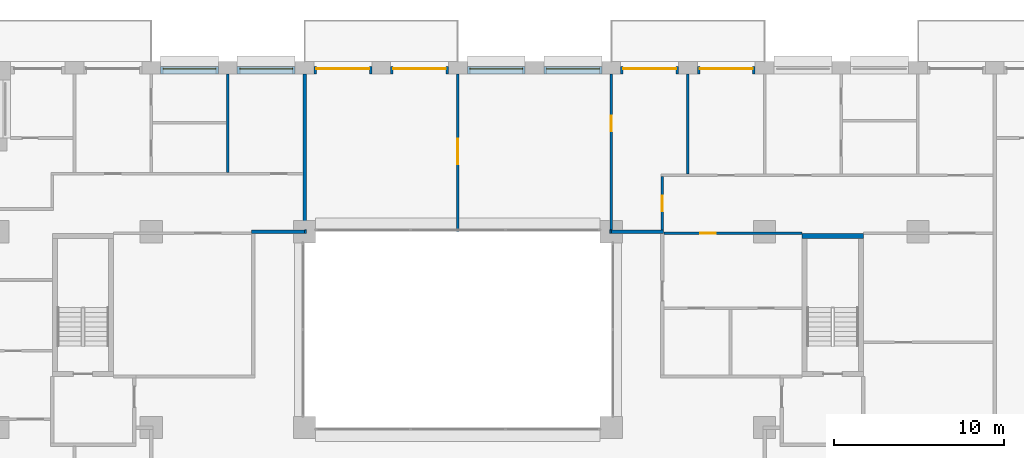
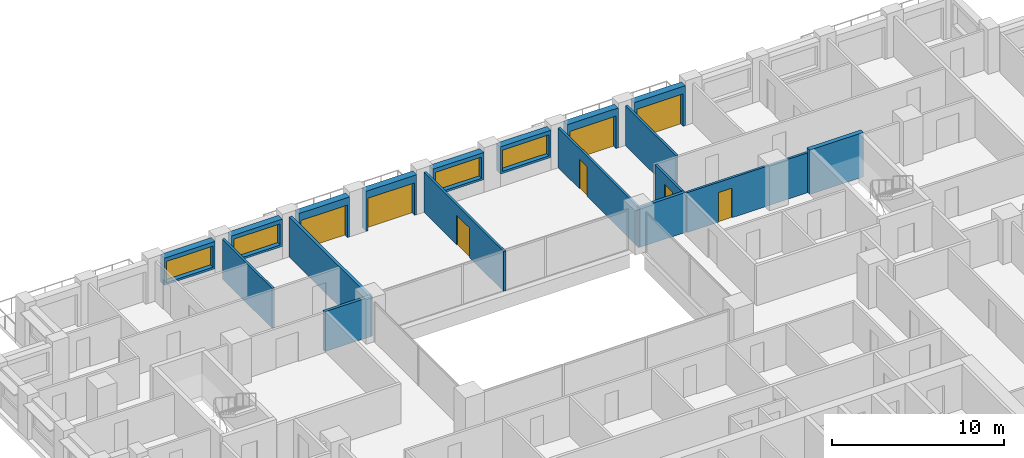
# One storey, part 13 of 16: 20 walls, 8 doors, 4 windows, 12 openings.
"""IFC4 building model written with IfcOpenShell, lengths in metres."""

from ifc_helpers import new_model, si_unit, direction, frame, frame_2d, origin, place, context, subcontext, project, spatial, rectangle, extrude, material, layer, layer_set, type_object, element, fill, save


model = new_model("IFC4")

# Units and contexts
model_context = context("Model", 3, precision=1e-05, world=origin(), true_north=direction((0.0, 1.0)))
body_context = subcontext(model_context, "Body", "Model", "MODEL_VIEW")
ifc_project = project(units=[si_unit("LENGTHUNIT", "METRE"), si_unit("AREAUNIT", "SQUARE_METRE"), si_unit("VOLUMEUNIT", "CUBIC_METRE"), si_unit("PLANEANGLEUNIT", "RADIAN"), si_unit("MASSUNIT", "GRAM", prefix="KILO")], contexts=[model_context])

# Site, building, storey
site_placement = place(None, origin())
site = spatial("IfcSite", under=ifc_project, at=site_placement, CompositionType="ELEMENT")
building_placement = place(site_placement, origin())
building = spatial("IfcBuilding", under=site, at=building_placement, Name="Brigalow Station Residences", CompositionType="ELEMENT")
storey_placement = place(building_placement, frame((0.0, 0.0, 89.85009765625)))
storey = spatial("IfcBuildingStorey", under=building, at=storey_placement, Name="L25", CompositionType="ELEMENT", Elevation=89.85009765625)

# Wall, opening, door
ifc_material_1 = material(Name="Clay brick masonry", Category="masonry")
ifc_layer_1 = layer(ifc_material_1, 0.449951171875)
ifc_layer_set_1 = layer_set([ifc_layer_1], Name="BRICK INFILL WALL 450")
wall_type_1 = type_object("IfcWallType", Name="BRICK INFILL WALL 450", PredefinedType="SOLIDWALL", material=ifc_layer_set_1)
wall_1_placement = place(storey_placement, frame((53.449951171875, 44.97509765625, 0.0), z_axis=(0.0, 0.0, 1.0), x_axis=(-1.0, 0.0, 0.0)))
wall_1 = element("IfcWall", 1, at=wall_1_placement, inside=storey, type_object=wall_type_1, Name="L25/ewall/W-L25-27", PredefinedType="SOLIDWALL", context=body_context, shape_type="SweptSolid", body=[
    extrude(rectangle(XDim=3.39990234375, YDim=0.449951171875, at=frame_2d((1.699951171875, 0.0))), origin(), (0.0, 0.0, 1.0), 2.829833984375),
])
opening_1_placement = place(wall_1_placement, frame((0.14990234375, 0.0, 0.0)))
opening_1 = element("IfcOpeningElement", 2, at=opening_1_placement, cuts=wall_1, Name="Opening D-B3100", PredefinedType="OPENING", context=body_context, shape_type="SweptSolid", body=[
    extrude(rectangle(XDim=3.10009765625, YDim=2.300048828125, at=frame_2d((1.550048828125, 1.14990234375))), frame((0.0, 0.23486328125, 0.0), z_axis=(0.0, -1.0, 0.0), x_axis=(1.0, 0.0, 0.0)), (0.0, 0.0, 1.0), 0.469970703125),
])
ifc_material_2 = material(Name="Anodised aluminium frame with double glazing", Category="aluminium")
door_type_1 = type_object("IfcDoorType", Name="BALCONY SLIDING DOOR 3100x2300", OperationType="SLIDING_TO_LEFT", PredefinedType="DOOR", material=ifc_material_2)
door_1_placement = place(opening_1_placement, origin())
door_1 = element("IfcDoor", 3, at=door_1_placement, inside=storey, type_object=door_type_1, Name="L25/balcony-door/W-L25-27", OperationType="SLIDING_TO_LEFT", OverallHeight=2.300048828125, OverallWidth=3.10009765625, PredefinedType="DOOR", context=body_context, shape_type="SweptSolid", body=[
    extrude(rectangle(XDim=3.10009765625, YDim=2.300048828125, at=frame_2d((1.550048828125, 1.14990234375))), frame((0.0, -0.06982421875, 0.0), z_axis=(0.0, -1.0, 0.0), x_axis=(1.0, 0.0, 0.0)), (0.0, 0.0, 1.0), 0.050048828125),
])
fill(opening_1, door_1)

wall_2_placement = place(storey_placement, frame((48.949951171875, 44.97509765625, 0.0), z_axis=(0.0, 0.0, 1.0), x_axis=(-1.0, 0.0, 0.0)))
wall_2 = element("IfcWall", 4, at=wall_2_placement, inside=storey, type_object=wall_type_1, Name="L25/ewall/W-L25-28", PredefinedType="SOLIDWALL", context=body_context, shape_type="SweptSolid", body=[
    extrude(rectangle(XDim=3.39990234375, YDim=0.449951171875, at=frame_2d((1.699951171875, 0.0))), origin(), (0.0, 0.0, 1.0), 2.829833984375),
])
opening_2_placement = place(wall_2_placement, frame((0.14990234375, 0.0, 0.0)))
opening_2 = element("IfcOpeningElement", 5, at=opening_2_placement, cuts=wall_2, Name="Opening D-B3100", PredefinedType="OPENING", context=body_context, shape_type="SweptSolid", body=[
    extrude(rectangle(XDim=3.10009765625, YDim=2.300048828125, at=frame_2d((1.550048828125, 1.14990234375))), frame((0.0, 0.23486328125, 0.0), z_axis=(0.0, -1.0, 0.0), x_axis=(1.0, 0.0, 0.0)), (0.0, 0.0, 1.0), 0.469970703125),
])
door_2_placement = place(opening_2_placement, origin())
door_2 = element("IfcDoor", 6, at=door_2_placement, inside=storey, type_object=door_type_1, Name="L25/balcony-door/W-L25-28", OperationType="SLIDING_TO_LEFT", OverallHeight=2.300048828125, OverallWidth=3.10009765625, PredefinedType="DOOR", context=body_context, shape_type="SweptSolid", body=[
    extrude(rectangle(XDim=3.10009765625, YDim=2.300048828125, at=frame_2d((1.550048828125, 1.14990234375))), frame((0.0, -0.06982421875, 0.0), z_axis=(0.0, -1.0, 0.0), x_axis=(1.0, 0.0, 0.0)), (0.0, 0.0, 1.0), 0.050048828125),
])
fill(opening_2, door_2)

# Wall, opening, window
wall_3_placement = place(storey_placement, frame((44.449951171875, 44.97509765625, 0.89990234375), z_axis=(0.0, 0.0, 1.0), x_axis=(-1.0, 0.0, 0.0)))
wall_3 = element("IfcWall", 7, at=wall_3_placement, inside=storey, type_object=wall_type_1, Name="L25/ewall/W-L25-29", PredefinedType="SOLIDWALL", context=body_context, shape_type="SweptSolid", body=[
    extrude(rectangle(XDim=3.39990234375, YDim=0.449951171875, at=frame_2d((1.699951171875, 0.0))), origin(), (0.0, 0.0, 1.0), 1.929931640625),
])
opening_3_placement = place(wall_3_placement, frame((0.14990234375, 0.0, 0.14990234375)))
opening_3 = element("IfcOpeningElement", 8, at=opening_3_placement, cuts=wall_3, Name="Opening WT-8", PredefinedType="OPENING", context=body_context, shape_type="SweptSolid", body=[
    extrude(rectangle(XDim=3.10009765625, YDim=1.5, at=frame_2d((1.550048828125, 0.75))), frame((0.0, 0.23486328125, 0.0), z_axis=(0.0, -1.0, 0.0), x_axis=(1.0, 0.0, 0.0)), (0.0, 0.0, 1.0), 0.469970703125),
])
ifc_material_3 = material(Name="Anodised aluminium frame with double glazing", Category="aluminium")
window_type = type_object("IfcWindowType", Name="WINDOW 3100x1500", PartitioningType="SINGLE_PANEL", PredefinedType="WINDOW", material=ifc_material_3)
window_1_placement = place(opening_3_placement, origin())
window_1 = element("IfcWindow", 9, at=window_1_placement, inside=storey, type_object=window_type, Name="L25/window/W-L25-29", OverallHeight=1.5, OverallWidth=3.10009765625, PartitioningType="SINGLE_PANEL", PredefinedType="WINDOW", context=body_context, shape_type="SweptSolid", body=[
    extrude(rectangle(XDim=3.10009765625, YDim=1.5, at=frame_2d((1.550048828125, 0.75))), frame((0.0, -0.06494140625, 0.0), z_axis=(0.0, -1.0, 0.0), x_axis=(1.0, 0.0, 0.0)), (0.0, 0.0, 1.0), 0.06005859375),
])
fill(opening_3, window_1)

wall_4_placement = place(storey_placement, frame((39.949951171875, 44.97509765625, 0.89990234375), z_axis=(0.0, 0.0, 1.0), x_axis=(-1.0, 0.0, 0.0)))
wall_4 = element("IfcWall", 10, at=wall_4_placement, inside=storey, type_object=wall_type_1, Name="L25/ewall/W-L25-30", PredefinedType="SOLIDWALL", context=body_context, shape_type="SweptSolid", body=[
    extrude(rectangle(XDim=3.39990234375, YDim=0.449951171875, at=frame_2d((1.699951171875, 0.0))), origin(), (0.0, 0.0, 1.0), 1.929931640625),
])
opening_4_placement = place(wall_4_placement, frame((0.14990234375, 0.0, 0.14990234375)))
opening_4 = element("IfcOpeningElement", 11, at=opening_4_placement, cuts=wall_4, Name="Opening WT-8", PredefinedType="OPENING", context=body_context, shape_type="SweptSolid", body=[
    extrude(rectangle(XDim=3.10009765625, YDim=1.5, at=frame_2d((1.550048828125, 0.75))), frame((0.0, 0.23486328125, 0.0), z_axis=(0.0, -1.0, 0.0), x_axis=(1.0, 0.0, 0.0)), (0.0, 0.0, 1.0), 0.469970703125),
])
window_2_placement = place(opening_4_placement, origin())
window_2 = element("IfcWindow", 12, at=window_2_placement, inside=storey, type_object=window_type, Name="L25/window/W-L25-30", OverallHeight=1.5, OverallWidth=3.10009765625, PartitioningType="SINGLE_PANEL", PredefinedType="WINDOW", context=body_context, shape_type="SweptSolid", body=[
    extrude(rectangle(XDim=3.10009765625, YDim=1.5, at=frame_2d((1.550048828125, 0.75))), frame((0.0, -0.06494140625, 0.0), z_axis=(0.0, -1.0, 0.0), x_axis=(1.0, 0.0, 0.0)), (0.0, 0.0, 1.0), 0.06005859375),
])
fill(opening_4, window_2)

# Wall, opening, door
wall_5_placement = place(storey_placement, frame((35.449951171875, 44.97509765625, 0.0), z_axis=(0.0, 0.0, 1.0), x_axis=(-1.0, 0.0, 0.0)))
wall_5 = element("IfcWall", 13, at=wall_5_placement, inside=storey, type_object=wall_type_1, Name="L25/ewall/W-L25-31", PredefinedType="SOLIDWALL", context=body_context, shape_type="SweptSolid", body=[
    extrude(rectangle(XDim=3.39990234375, YDim=0.449951171875, at=frame_2d((1.699951171875, 0.0))), origin(), (0.0, 0.0, 1.0), 2.829833984375),
])
opening_5_placement = place(wall_5_placement, frame((0.14990234375, 0.0, 0.0)))
opening_5 = element("IfcOpeningElement", 14, at=opening_5_placement, cuts=wall_5, Name="Opening D-B3100", PredefinedType="OPENING", context=body_context, shape_type="SweptSolid", body=[
    extrude(rectangle(XDim=3.10009765625, YDim=2.300048828125, at=frame_2d((1.550048828125, 1.14990234375))), frame((0.0, 0.23486328125, 0.0), z_axis=(0.0, -1.0, 0.0), x_axis=(1.0, 0.0, 0.0)), (0.0, 0.0, 1.0), 0.469970703125),
])
door_3_placement = place(opening_5_placement, origin())
door_3 = element("IfcDoor", 15, at=door_3_placement, inside=storey, type_object=door_type_1, Name="L25/balcony-door/W-L25-31", OperationType="SLIDING_TO_LEFT", OverallHeight=2.300048828125, OverallWidth=3.10009765625, PredefinedType="DOOR", context=body_context, shape_type="SweptSolid", body=[
    extrude(rectangle(XDim=3.10009765625, YDim=2.300048828125, at=frame_2d((1.550048828125, 1.14990234375))), frame((0.0, -0.06982421875, 0.0), z_axis=(0.0, -1.0, 0.0), x_axis=(1.0, 0.0, 0.0)), (0.0, 0.0, 1.0), 0.050048828125),
])
fill(opening_5, door_3)

wall_6_placement = place(storey_placement, frame((30.949951171875, 44.97509765625, 0.0), z_axis=(0.0, 0.0, 1.0), x_axis=(-1.0, 0.0, 0.0)))
wall_6 = element("IfcWall", 16, at=wall_6_placement, inside=storey, type_object=wall_type_1, Name="L25/ewall/W-L25-32", PredefinedType="SOLIDWALL", context=body_context, shape_type="SweptSolid", body=[
    extrude(rectangle(XDim=3.39990234375, YDim=0.449951171875, at=frame_2d((1.699951171875, 0.0))), origin(), (0.0, 0.0, 1.0), 2.829833984375),
])
opening_6_placement = place(wall_6_placement, frame((0.14990234375, 0.0, 0.0)))
opening_6 = element("IfcOpeningElement", 17, at=opening_6_placement, cuts=wall_6, Name="Opening D-B3100", PredefinedType="OPENING", context=body_context, shape_type="SweptSolid", body=[
    extrude(rectangle(XDim=3.10009765625, YDim=2.300048828125, at=frame_2d((1.550048828125, 1.14990234375))), frame((0.0, 0.23486328125, 0.0), z_axis=(0.0, -1.0, 0.0), x_axis=(1.0, 0.0, 0.0)), (0.0, 0.0, 1.0), 0.469970703125),
])
door_4_placement = place(opening_6_placement, origin())
door_4 = element("IfcDoor", 18, at=door_4_placement, inside=storey, type_object=door_type_1, Name="L25/balcony-door/W-L25-32", OperationType="SLIDING_TO_LEFT", OverallHeight=2.300048828125, OverallWidth=3.10009765625, PredefinedType="DOOR", context=body_context, shape_type="SweptSolid", body=[
    extrude(rectangle(XDim=3.10009765625, YDim=2.300048828125, at=frame_2d((1.550048828125, 1.14990234375))), frame((0.0, -0.06982421875, 0.0), z_axis=(0.0, -1.0, 0.0), x_axis=(1.0, 0.0, 0.0)), (0.0, 0.0, 1.0), 0.050048828125),
])
fill(opening_6, door_4)

# Wall, opening, window
wall_7_placement = place(storey_placement, frame((26.449951171875, 44.97509765625, 0.89990234375), z_axis=(0.0, 0.0, 1.0), x_axis=(-1.0, 0.0, 0.0)))
wall_7 = element("IfcWall", 19, at=wall_7_placement, inside=storey, type_object=wall_type_1, Name="L25/ewall/W-L25-33", PredefinedType="SOLIDWALL", context=body_context, shape_type="SweptSolid", body=[
    extrude(rectangle(XDim=3.39990234375, YDim=0.449951171875, at=frame_2d((1.699951171875, 0.0))), origin(), (0.0, 0.0, 1.0), 1.929931640625),
])
opening_7_placement = place(wall_7_placement, frame((0.14990234375, 0.0, 0.14990234375)))
opening_7 = element("IfcOpeningElement", 20, at=opening_7_placement, cuts=wall_7, Name="Opening WT-8", PredefinedType="OPENING", context=body_context, shape_type="SweptSolid", body=[
    extrude(rectangle(XDim=3.10009765625, YDim=1.5, at=frame_2d((1.550048828125, 0.75))), frame((0.0, 0.23486328125, 0.0), z_axis=(0.0, -1.0, 0.0), x_axis=(1.0, 0.0, 0.0)), (0.0, 0.0, 1.0), 0.469970703125),
])
window_3_placement = place(opening_7_placement, origin())
window_3 = element("IfcWindow", 21, at=window_3_placement, inside=storey, type_object=window_type, Name="L25/window/W-L25-33", OverallHeight=1.5, OverallWidth=3.10009765625, PartitioningType="SINGLE_PANEL", PredefinedType="WINDOW", context=body_context, shape_type="SweptSolid", body=[
    extrude(rectangle(XDim=3.10009765625, YDim=1.5, at=frame_2d((1.550048828125, 0.75))), frame((0.0, -0.06494140625, 0.0), z_axis=(0.0, -1.0, 0.0), x_axis=(1.0, 0.0, 0.0)), (0.0, 0.0, 1.0), 0.06005859375),
])
fill(opening_7, window_3)

wall_8_placement = place(storey_placement, frame((21.949951171875, 44.97509765625, 0.89990234375), z_axis=(0.0, 0.0, 1.0), x_axis=(-1.0, 0.0, 0.0)))
wall_8 = element("IfcWall", 22, at=wall_8_placement, inside=storey, type_object=wall_type_1, Name="L25/ewall/W-L25-34", PredefinedType="SOLIDWALL", context=body_context, shape_type="SweptSolid", body=[
    extrude(rectangle(XDim=3.39990234375, YDim=0.449951171875, at=frame_2d((1.699951171875, 0.0))), origin(), (0.0, 0.0, 1.0), 1.929931640625),
])
opening_8_placement = place(wall_8_placement, frame((0.14990234375, 0.0, 0.14990234375)))
opening_8 = element("IfcOpeningElement", 23, at=opening_8_placement, cuts=wall_8, Name="Opening WT-8", PredefinedType="OPENING", context=body_context, shape_type="SweptSolid", body=[
    extrude(rectangle(XDim=3.10009765625, YDim=1.5, at=frame_2d((1.550048828125, 0.75))), frame((0.0, 0.23486328125, 0.0), z_axis=(0.0, -1.0, 0.0), x_axis=(1.0, 0.0, 0.0)), (0.0, 0.0, 1.0), 0.469970703125),
])
window_4_placement = place(opening_8_placement, origin())
window_4 = element("IfcWindow", 24, at=window_4_placement, inside=storey, type_object=window_type, Name="L25/window/W-L25-34", OverallHeight=1.5, OverallWidth=3.10009765625, PartitioningType="SINGLE_PANEL", PredefinedType="WINDOW", context=body_context, shape_type="SweptSolid", body=[
    extrude(rectangle(XDim=3.10009765625, YDim=1.5, at=frame_2d((1.550048828125, 0.75))), frame((0.0, -0.06494140625, 0.0), z_axis=(0.0, -1.0, 0.0), x_axis=(1.0, 0.0, 0.0)), (0.0, 0.0, 1.0), 0.06005859375),
])
fill(opening_8, window_4)

# Wall
ifc_material_4 = material(Name="Concrete C65", Category="concrete")
ifc_layer_2 = layer(ifc_material_4, 0.300048828125)
ifc_layer_set_2 = layer_set([ifc_layer_2], Name="CORE SHEAR WALL 300 C65")
wall_type_2 = type_object("IfcWallType", Name="CORE SHEAR WALL 300 C65", PredefinedType="SHEAR", material=ifc_layer_set_2)
wall_9_placement = place(storey_placement, frame((56.199951171875, 35.25, 0.0), z_axis=(0.0, 0.0, 1.0), x_axis=(1.0, 0.0, 0.0)))
element("IfcWall", 25, at=wall_9_placement, inside=storey, type_object=wall_type_2, Name="CORE WALL ST-S3-N L25", PredefinedType="SHEAR", context=body_context, shape_type="SweptSolid", body=[
    extrude(rectangle(XDim=3.60009765625, YDim=0.300048828125, at=frame_2d((1.800048828125, 0.0))), origin(), (0.0, 0.0, 1.0), 3.14990234375),
])

# Wall, opening, door
ifc_material_5 = material(Name="Plasterboard on steel stud partition", Category="steel")
ifc_layer_3 = layer(ifc_material_5, 0.14990234375)
ifc_layer_set_3 = layer_set([ifc_layer_3], Name="FLAT PARTITION 150")
wall_type_3 = type_object("IfcWallType", Name="FLAT PARTITION 150", PredefinedType="PARTITIONING", material=ifc_layer_set_3)
wall_10_placement = place(storey_placement, frame((48.10009765625, 35.39990234375, 0.0), z_axis=(0.0, 0.0, 1.0), x_axis=(1.0, 0.0, 0.0)))
wall_10 = element("IfcWall", 26, at=wall_10_placement, inside=storey, type_object=wall_type_3, Name="PW-2A29", PredefinedType="PARTITIONING", context=body_context, shape_type="SweptSolid", body=[
    extrude(rectangle(XDim=8.099853515625, YDim=0.14990234375, at=frame_2d((4.0498046875, 0.0))), origin(), (0.0, 0.0, 1.0), 2.829833984375),
])
opening_9_placement = place(wall_10_placement, frame((2.125, 0.0, 0.0)))
opening_9 = element("IfcOpeningElement", 27, at=opening_9_placement, cuts=wall_10, Name="Opening D-2A23", PredefinedType="OPENING", context=body_context, shape_type="SweptSolid", body=[
    extrude(rectangle(XDim=0.89990234375, YDim=2.10009765625, at=frame_2d((0.449951171875, 1.050048828125))), frame((0.0, 0.0849609375, 0.0), z_axis=(0.0, -1.0, 0.0), x_axis=(1.0, 0.0, 0.0)), (0.0, 0.0, 1.0), 0.169921875),
])
ifc_material_6 = material(Name="Solid-core timber door leaf", Category="wood")
door_type_2 = type_object("IfcDoorType", Name="INTERNAL DOOR 900 x 2100", OperationType="SINGLE_SWING_LEFT", PredefinedType="DOOR", material=ifc_material_6)
door_5_placement = place(opening_9_placement, frame((0.89990234375, 0.0, 0.0), z_axis=(0.0, 0.0, 1.0), x_axis=(-1.0, 0.0, 0.0)))
door_5 = element("IfcDoor", 28, at=door_5_placement, inside=storey, type_object=door_type_2, Name="D-2A23", OperationType="SINGLE_SWING_RIGHT", OverallHeight=2.10009765625, OverallWidth=0.89990234375, PredefinedType="DOOR", context=body_context, shape_type="SweptSolid", body=[
    extrude(rectangle(XDim=0.89990234375, YDim=2.10009765625, at=frame_2d((0.449951171875, 1.050048828125))), frame((0.0, 0.02490234375, 0.0), z_axis=(0.0, -1.0, 0.0), x_axis=(1.0, 0.0, 0.0)), (0.0, 0.0, 1.0), 0.050048828125),
])
fill(opening_9, door_5)

wall_11_placement = place(storey_placement, frame((48.0, 35.60009765625, 0.0), z_axis=(0.0, 0.0, 1.0), x_axis=(0.0, 1.0, 0.0)))
wall_11 = element("IfcWall", 29, at=wall_11_placement, inside=storey, type_object=wall_type_3, Name="PW-2A46", PredefinedType="PARTITIONING", context=body_context, shape_type="SweptSolid", body=[
    extrude(rectangle(XDim=3.125, YDim=0.14990234375, at=frame_2d((1.5625, 0.0))), origin(), (0.0, 0.0, 1.0), 2.829833984375),
])
opening_10_placement = place(wall_11_placement, frame((1.10009765625, 0.0, 0.0)))
opening_10 = element("IfcOpeningElement", 30, at=opening_10_placement, cuts=wall_11, Name="Opening D-2A24", PredefinedType="OPENING", context=body_context, shape_type="SweptSolid", body=[
    extrude(rectangle(XDim=0.89990234375, YDim=2.10009765625, at=frame_2d((0.449951171875, 1.050048828125))), frame((0.0, 0.0849609375, 0.0), z_axis=(0.0, -1.0, 0.0), x_axis=(1.0, 0.0, 0.0)), (0.0, 0.0, 1.0), 0.169921875),
])
door_6_placement = place(opening_10_placement, origin())
door_6 = element("IfcDoor", 31, at=door_6_placement, inside=storey, type_object=door_type_2, Name="D-2A24", OperationType="SINGLE_SWING_LEFT", OverallHeight=2.10009765625, OverallWidth=0.89990234375, PredefinedType="DOOR", context=body_context, shape_type="SweptSolid", body=[
    extrude(rectangle(XDim=0.89990234375, YDim=2.10009765625, at=frame_2d((0.449951171875, 1.050048828125))), frame((0.0, 0.02490234375, 0.0), z_axis=(0.0, -1.0, 0.0), x_axis=(1.0, 0.0, 0.0)), (0.0, 0.0, 1.0), 0.050048828125),
])
fill(opening_10, door_6)

# Wall
wall_12_placement = place(storey_placement, frame((22.5, 38.97509765625, 0.0), z_axis=(0.0, 0.0, 1.0), x_axis=(0.0, 1.0, 0.0)))
element("IfcWall", 32, at=wall_12_placement, inside=storey, type_object=wall_type_3, Name="PW-2A55", PredefinedType="PARTITIONING", context=body_context, shape_type="SweptSolid", body=[
    extrude(rectangle(XDim=5.77490234375, YDim=0.14990234375, at=frame_2d((2.887451171875, 0.0))), origin(), (0.0, 0.0, 1.0), 2.829833984375),
])

# Wall, opening, door
wall_13_placement = place(storey_placement, frame((36.0, 35.5, 0.0), z_axis=(0.0, 0.0, 1.0), x_axis=(0.0, 1.0, 0.0)))
wall_13 = element("IfcWall", 33, at=wall_13_placement, inside=storey, type_object=wall_type_3, Name="PW-2A56", PredefinedType="PARTITIONING", context=body_context, shape_type="SweptSolid", body=[
    extrude(rectangle(XDim=9.25, YDim=0.14990234375, at=frame_2d((4.625, 0.0))), origin(), (0.0, 0.0, 1.0), 2.829833984375),
])
opening_11_placement = place(wall_13_placement, frame((3.949951171875, 0.0, 0.0)))
opening_11 = element("IfcOpeningElement", 34, at=opening_11_placement, cuts=wall_13, Name="Opening D-2A26", PredefinedType="OPENING", context=body_context, shape_type="SweptSolid", body=[
    extrude(rectangle(XDim=1.5, YDim=2.10009765625, at=frame_2d((0.75, 1.050048828125))), frame((0.0, 0.0849609375, 0.0), z_axis=(0.0, -1.0, 0.0), x_axis=(1.0, 0.0, 0.0)), (0.0, 0.0, 1.0), 0.169921875),
])
ifc_material_7 = material(Name="Solid-core timber door leaf", Category="wood")
door_type_3 = type_object("IfcDoorType", Name="INTERNAL DOUBLE DOOR 1500 x 2100", OperationType="DOUBLE_DOOR_SINGLE_SWING", PredefinedType="DOOR", material=ifc_material_7)
door_7_placement = place(opening_11_placement, origin())
door_7 = element("IfcDoor", 35, at=door_7_placement, inside=storey, type_object=door_type_3, Name="D-2A26", OperationType="DOUBLE_DOOR_SINGLE_SWING", OverallHeight=2.10009765625, OverallWidth=1.5, PredefinedType="DOOR", context=body_context, shape_type="SweptSolid", body=[
    extrude(rectangle(XDim=1.5, YDim=2.10009765625, at=frame_2d((0.75, 1.050048828125))), frame((0.0, 0.02490234375, 0.0), z_axis=(0.0, -1.0, 0.0), x_axis=(1.0, 0.0, 0.0)), (0.0, 0.0, 1.0), 0.050048828125),
])
fill(opening_11, door_7)

wall_14_placement = place(storey_placement, frame((45.0, 35.60009765625, 0.0), z_axis=(0.0, 0.0, 1.0), x_axis=(0.0, 1.0, 0.0)))
wall_14 = element("IfcWall", 36, at=wall_14_placement, inside=storey, type_object=wall_type_3, Name="PW-2A57", PredefinedType="PARTITIONING", context=body_context, shape_type="SweptSolid", body=[
    extrude(rectangle(XDim=9.14990234375, YDim=0.14990234375, at=frame_2d((4.574951171875, 0.0))), origin(), (0.0, 0.0, 1.0), 2.829833984375),
])
opening_12_placement = place(wall_14_placement, frame((5.800048828125, 0.0, 0.0)))
opening_12 = element("IfcOpeningElement", 37, at=opening_12_placement, cuts=wall_14, Name="Opening D-2A25", PredefinedType="OPENING", context=body_context, shape_type="SweptSolid", body=[
    extrude(rectangle(XDim=0.89990234375, YDim=2.10009765625, at=frame_2d((0.449951171875, 1.050048828125))), frame((0.0, 0.0849609375, 0.0), z_axis=(0.0, -1.0, 0.0), x_axis=(1.0, 0.0, 0.0)), (0.0, 0.0, 1.0), 0.169921875),
])
door_8_placement = place(opening_12_placement, frame((0.89990234375, 0.0, 0.0), z_axis=(0.0, 0.0, 1.0), x_axis=(-1.0, 0.0, 0.0)))
door_8 = element("IfcDoor", 38, at=door_8_placement, inside=storey, type_object=door_type_2, Name="D-2A25", OperationType="SINGLE_SWING_LEFT", OverallHeight=2.10009765625, OverallWidth=0.89990234375, PredefinedType="DOOR", context=body_context, shape_type="SweptSolid", body=[
    extrude(rectangle(XDim=0.89990234375, YDim=2.10009765625, at=frame_2d((0.449951171875, 1.050048828125))), frame((0.0, 0.02490234375, 0.0), z_axis=(0.0, -1.0, 0.0), x_axis=(1.0, 0.0, 0.0)), (0.0, 0.0, 1.0), 0.050048828125),
])
fill(opening_12, door_8)

# Walls
wall_15_placement = place(storey_placement, frame((49.5, 38.875, 0.0), z_axis=(0.0, 0.0, 1.0), x_axis=(0.0, 1.0, 0.0)))
element("IfcWall", 39, at=wall_15_placement, inside=storey, type_object=wall_type_3, Name="PW-2A58", PredefinedType="PARTITIONING", context=body_context, shape_type="SweptSolid", body=[
    extrude(rectangle(XDim=5.875, YDim=0.14990234375, at=frame_2d((2.9375, 0.0))), origin(), (0.0, 0.0, 1.0), 2.829833984375),
])
ifc_material_8 = material(Name="Plasterboard on steel stud partition", Category="steel")
ifc_layer_4 = layer(ifc_material_8, 0.199951171875)
ifc_layer_set_4 = layer_set([ifc_layer_4], Name="PARTY AND CORRIDOR WALL 200")
wall_type_4 = type_object("IfcWallType", Name="PARTY AND CORRIDOR WALL 200", PredefinedType="PARTITIONING", material=ifc_layer_set_4)
wall_16_placement = place(storey_placement, frame((23.89990234375, 35.5, 0.0), z_axis=(0.0, 0.0, 1.0), x_axis=(1.0, 0.0, 0.0)))
element("IfcWall", 40, at=wall_16_placement, inside=storey, type_object=wall_type_4, Name="PW-2A07", PredefinedType="PARTITIONING", context=body_context, shape_type="SweptSolid", body=[
    extrude(rectangle(XDim=3.10009765625, YDim=0.199951171875, at=frame_2d((1.550048828125, 0.0))), origin(), (0.0, 0.0, 1.0), 2.829833984375),
])
wall_17_placement = place(storey_placement, frame((27.0, 35.5, 0.0), z_axis=(0.0, 0.0, 1.0), x_axis=(1.0, 0.0, 0.0)))
element("IfcWall", 41, at=wall_17_placement, inside=storey, type_object=wall_type_4, Name="PW-2A08", PredefinedType="PARTITIONING", context=body_context, shape_type="SweptSolid", body=[
    extrude(rectangle(XDim=0.10009765625, YDim=0.199951171875, at=frame_2d((0.050048828125, 0.0))), origin(), (0.0, 0.0, 1.0), 2.829833984375),
])
wall_18_placement = place(storey_placement, frame((44.925048828125, 35.5, 0.0), z_axis=(0.0, 0.0, 1.0), x_axis=(1.0, 0.0, 0.0)))
element("IfcWall", 42, at=wall_18_placement, inside=storey, type_object=wall_type_4, Name="PW-2A09", PredefinedType="PARTITIONING", context=body_context, shape_type="SweptSolid", body=[
    extrude(rectangle(XDim=0.074951171875, YDim=0.199951171875, at=frame_2d((0.03759765625, 0.0))), origin(), (0.0, 0.0, 1.0), 2.829833984375),
])
wall_19_placement = place(storey_placement, frame((45.0, 35.5, 0.0), z_axis=(0.0, 0.0, 1.0), x_axis=(1.0, 0.0, 0.0)))
element("IfcWall", 43, at=wall_19_placement, inside=storey, type_object=wall_type_4, Name="PW-2A10", PredefinedType="PARTITIONING", context=body_context, shape_type="SweptSolid", body=[
    extrude(rectangle(XDim=3.074951171875, YDim=0.199951171875, at=frame_2d((1.53759765625, 0.0))), origin(), (0.0, 0.0, 1.0), 2.829833984375),
])
wall_20_placement = place(storey_placement, frame((27.0, 35.60009765625, 0.0), z_axis=(0.0, 0.0, 1.0), x_axis=(0.0, 1.0, 0.0)))
element("IfcWall", 44, at=wall_20_placement, inside=storey, type_object=wall_type_4, Name="PW-2A54", PredefinedType="PARTITIONING", context=body_context, shape_type="SweptSolid", body=[
    extrude(rectangle(XDim=9.14990234375, YDim=0.199951171875, at=frame_2d((4.574951171875, 0.0))), origin(), (0.0, 0.0, 1.0), 2.829833984375),
])

save(model, "model.ifc")
